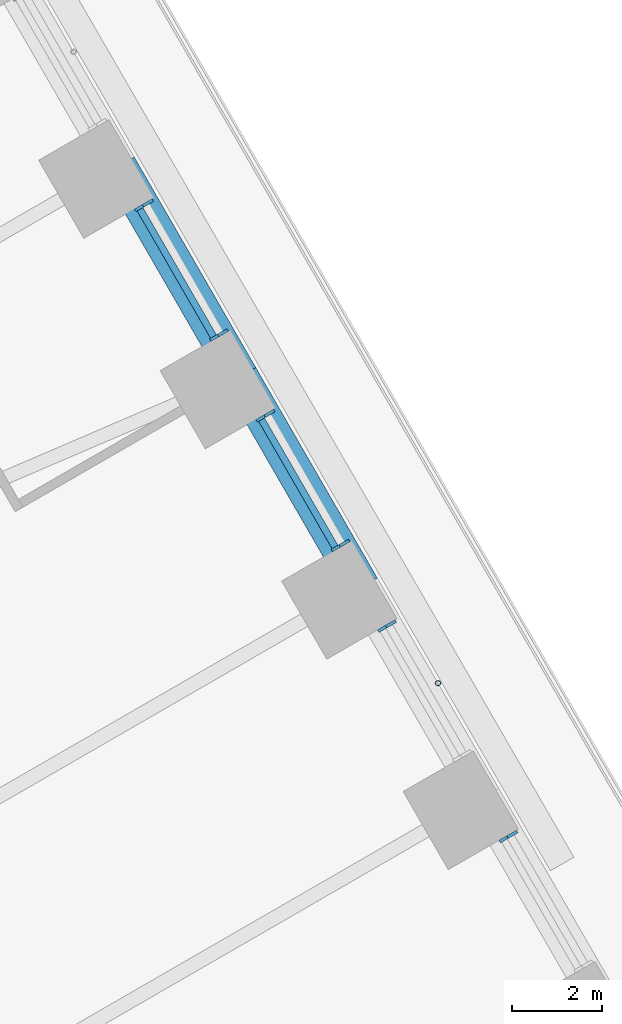
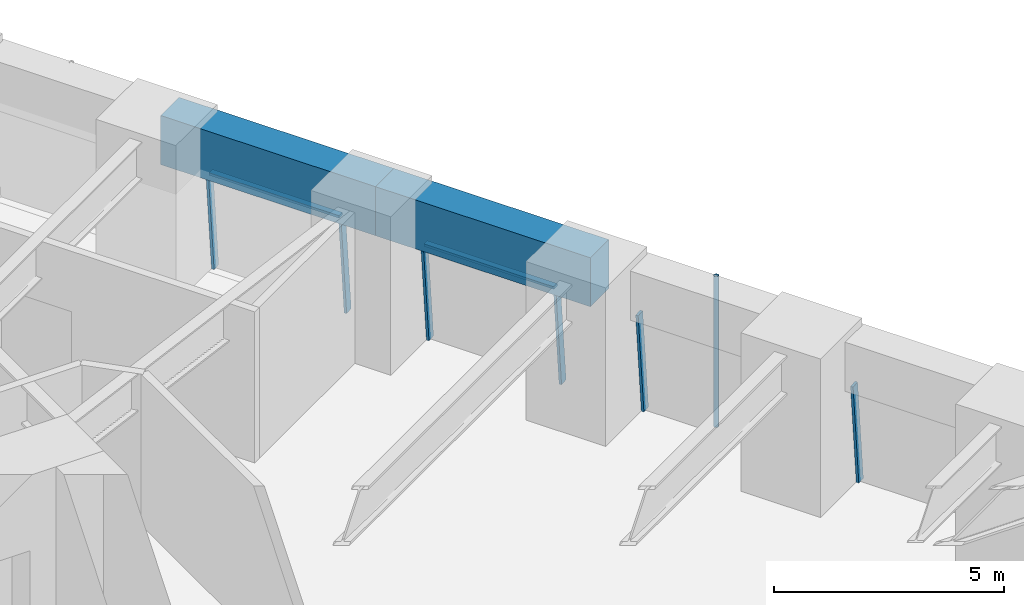
# One storey, part 13 of 23: 9 members, 2 beams, 4 elements without a shape of their own.
"""IFC4 building model written with IfcOpenShell, lengths in metres."""

from ifc_helpers import new_model, si_unit, direction, frame, origin, origin_2d, place, context, subcontext, project, spatial, rectangle, hollow_circle, extrude, material, material_profile, profile_set, type_object, element, aggregate, save


model = new_model("IFC4")

# Units and contexts
model_context = context("Model", 3, precision=1e-05, world=origin(), true_north=direction((0.0, 1.0)))
body_context = subcontext(model_context, "Body", "Model", "MODEL_VIEW")
ifc_project = project(units=[si_unit("LENGTHUNIT", "METRE"), si_unit("AREAUNIT", "SQUARE_METRE"), si_unit("VOLUMEUNIT", "CUBIC_METRE"), si_unit("PLANEANGLEUNIT", "RADIAN"), si_unit("MASSUNIT", "GRAM", prefix="KILO")], contexts=[model_context])

# Site, building, storey
site_placement = place(None, origin())
site = spatial("IfcSite", under=ifc_project, at=site_placement, CompositionType="ELEMENT")
building_placement = place(site_placement, origin())
building = spatial("IfcBuilding", under=site, at=building_placement, Name="Tarfa Lantern Tower", CompositionType="ELEMENT")
storey_placement = place(building_placement, frame((0.0, 0.0, 52.89990234375)))
storey = spatial("IfcBuildingStorey", under=building, at=storey_placement, Name="L11", CompositionType="ELEMENT", Elevation=52.89990234375)

# Curtain wall, member
ifc_material_1 = material(Name="Aluminium framed curtain wall", Category="aluminium")
curtain_wall_type = type_object("IfcCurtainWallType", Name="CW1 CANTED GLAZING LOW ZONE 2700", PredefinedType="USERDEFINED", material=ifc_material_1)
curtain_wall_1_placement = place(storey_placement, origin())
curtain_wall_1 = element("IfcCurtainWall", 1, at=curtain_wall_1_placement, inside=storey, type_object=curtain_wall_type, Name="CW1 NE L11", ObjectType="CURTAIN WALL", PredefinedType="USERDEFINED")
ifc_material_2 = material(Name="Aluminium mullion", Category="aluminium")
ifc_material_profile_1 = material_profile(ifc_material_2, rectangle(XDim=0.06494140625, YDim=0.199951171875, at=origin_2d()), Name="AL MULLION 65x200")
ifc_profile_set_1 = profile_set([ifc_material_profile_1], Name="Aluminium mullion")
member_type_1 = type_object("IfcMemberType", Name="CWM1 MULLION 65x200", PredefinedType="MULLION", material=ifc_profile_set_1)
member_1_placement = place(storey_placement, frame((35.26318359375, 6.722412109375, 0.0), z_axis=(-0.079857261722, -0.046095736191, 0.995739926314), x_axis=(0.499919672301, -0.866071776036, 0.0)))
member_1 = element("IfcMember", 2, at=member_1_placement, type_object=member_type_1, Name="CW1 mullion 2", PredefinedType="MULLION", context=body_context, shape_type="SweptSolid", body=[
    extrude(rectangle(XDim=0.06494140625, YDim=0.199951171875, at=origin_2d()), origin(), (0.0, 0.0, 1.0), 2.711669921875),
])
aggregate(curtain_wall_1, [member_1])

curtain_wall_2_placement = place(storey_placement, origin())
curtain_wall_2 = element("IfcCurtainWall", 3, at=curtain_wall_2_placement, inside=storey, type_object=curtain_wall_type, Name="CW1 NE L11", ObjectType="CURTAIN WALL", PredefinedType="USERDEFINED")
member_2_placement = place(storey_placement, frame((32.56884765625, 11.38916015625, 0.0), z_axis=(-0.079857261722, -0.046095736191, 0.995739926314), x_axis=(0.499919672301, -0.866071776036, 0.0)))
member_2 = element("IfcMember", 4, at=member_2_placement, type_object=member_type_1, Name="CW1 mullion 2", PredefinedType="MULLION", context=body_context, shape_type="SweptSolid", body=[
    extrude(rectangle(XDim=0.06494140625, YDim=0.199951171875, at=origin_2d()), origin(), (0.0, 0.0, 1.0), 2.711669921875),
])
aggregate(curtain_wall_2, [member_2])

# Curtain wall, members
curtain_wall_3_placement = place(storey_placement, origin())
curtain_wall_3 = element("IfcCurtainWall", 5, at=curtain_wall_3_placement, inside=storey, type_object=curtain_wall_type, Name="CW1 NE L11", ObjectType="CURTAIN WALL", PredefinedType="USERDEFINED")
member_3_placement = place(storey_placement, frame((31.536376953125, 13.177490234375, 0.0), z_axis=(-0.079857261722, -0.046095736191, 0.995739926314), x_axis=(0.499919672301, -0.866071776036, 0.0)))
member_3 = element("IfcMember", 6, at=member_3_placement, type_object=member_type_1, Name="CW1 mullion 1", PredefinedType="MULLION", context=body_context, shape_type="SweptSolid", body=[
    extrude(rectangle(XDim=0.06494140625, YDim=0.199951171875, at=origin_2d()), origin(), (0.0, 0.0, 1.0), 2.711669921875),
])
member_4_placement = place(storey_placement, frame((29.87451171875, 16.055908203125, 0.0), z_axis=(-0.079857261722, -0.046095736191, 0.995739926314), x_axis=(0.499919672301, -0.866071776036, 0.0)))
member_4 = element("IfcMember", 7, at=member_4_placement, type_object=member_type_1, Name="CW1 mullion 2", PredefinedType="MULLION", context=body_context, shape_type="SweptSolid", body=[
    extrude(rectangle(XDim=0.06494140625, YDim=0.199951171875, at=origin_2d()), origin(), (0.0, 0.0, 1.0), 2.711669921875),
])

curtain_wall_4_placement = place(storey_placement, origin())
curtain_wall_4 = element("IfcCurtainWall", 8, at=curtain_wall_4_placement, inside=storey, type_object=curtain_wall_type, Name="CW1 NE L11", ObjectType="CURTAIN WALL", PredefinedType="USERDEFINED")
member_5_placement = place(storey_placement, frame((28.842041015625, 17.84423828125, 0.0), z_axis=(-0.079857261722, -0.046095736191, 0.995739926314), x_axis=(0.499919672301, -0.866071776036, 0.0)))
member_5 = element("IfcMember", 9, at=member_5_placement, type_object=member_type_1, Name="CW1 mullion 1", PredefinedType="MULLION", context=body_context, shape_type="SweptSolid", body=[
    extrude(rectangle(XDim=0.06494140625, YDim=0.199951171875, at=origin_2d()), origin(), (0.0, 0.0, 1.0), 2.711669921875),
])
member_6_placement = place(storey_placement, frame((27.18017578125, 20.722412109375, 0.0), z_axis=(-0.079857261722, -0.046095736191, 0.995739926314), x_axis=(0.499919672301, -0.866071776036, 0.0)))
member_6 = element("IfcMember", 10, at=member_6_placement, type_object=member_type_1, Name="CW1 mullion 2", PredefinedType="MULLION", context=body_context, shape_type="SweptSolid", body=[
    extrude(rectangle(XDim=0.06494140625, YDim=0.199951171875, at=origin_2d()), origin(), (0.0, 0.0, 1.0), 2.711669921875),
])

# Member
ifc_material_3 = material(Name="Aluminium transom", Category="aluminium")
ifc_material_profile_2 = material_profile(ifc_material_3, rectangle(XDim=0.14990234375, YDim=0.06494140625, at=origin_2d()), Name="AL TRANSOM 150x65")
ifc_profile_set_2 = profile_set([ifc_material_profile_2], Name="Aluminium transom")
member_type_2 = type_object("IfcMemberType", Name="CWT1 TRANSOM 150x65", PredefinedType="USERDEFINED", material=ifc_profile_set_2)
member_7_placement = place(storey_placement, frame((31.30615234375, 13.082275390625, 2.66748046875), z_axis=(-0.500022939057, 0.866012159509, 0.0), x_axis=(-0.866012159509, -0.500022939057, 0.0)))
member_7 = element("IfcMember", 11, at=member_7_placement, type_object=member_type_2, Name="CW1 transom 1.2", ObjectType="TRANSOM", PredefinedType="USERDEFINED", context=body_context, shape_type="SweptSolid", body=[
    extrude(rectangle(XDim=0.14990234375, YDim=0.06494140625, at=origin_2d()), origin(), (0.0, 0.0, 1.0), 3.258544921875),
])

aggregate(curtain_wall_3, [member_3, member_4, member_7])

member_8_placement = place(storey_placement, frame((28.61181640625, 17.748779296875, 2.66748046875), z_axis=(-0.499966746847, 0.86604460165, 0.0), x_axis=(-0.86604460165, -0.499966746847, 0.0)))
member_8 = element("IfcMember", 12, at=member_8_placement, type_object=member_type_2, Name="CW1 transom 1.2", ObjectType="TRANSOM", PredefinedType="USERDEFINED", context=body_context, shape_type="SweptSolid", body=[
    extrude(rectangle(XDim=0.14990234375, YDim=0.06494140625, at=origin_2d()), origin(), (0.0, 0.0, 1.0), 3.258544921875),
])

aggregate(curtain_wall_4, [member_5, member_6, member_8])

# Beams
ifc_material_4 = material(Name="Concrete C80/95", Category="concrete")
ifc_material_profile_3 = material_profile(ifc_material_4, rectangle(XDim=0.800048828125, YDim=1.300048828125, at=origin_2d()), Name="RC 800x1300")
ifc_profile_set_3 = profile_set([ifc_material_profile_3], Name="Concrete C80/95")
beam_type = type_object("IfcBeamType", Name="EB1 RC 800x1300", PredefinedType="SPANDREL", material=ifc_profile_set_3)
beam_1_placement = place(storey_placement, frame((31.896728515625, 12.193359375, 3.35009765625), z_axis=(-0.499998287579, 0.866026392449, 0.0), x_axis=(-0.866026392449, -0.499998287579, 0.0)))
element("IfcBeam", 13, at=beam_1_placement, inside=storey, type_object=beam_type, Name="Edge beam NE2", PredefinedType="SPANDREL", context=body_context, shape_type="SweptSolid", body=[
    extrude(rectangle(XDim=0.800048828125, YDim=1.300048828125, at=origin_2d()), origin(), (0.0, 0.0, 1.0), 5.388671875),
])
beam_2_placement = place(storey_placement, frame((29.202392578125, 16.860107421875, 3.35009765625), z_axis=(-0.500017906299, 0.866015065331, 0.0), x_axis=(-0.866015065331, -0.500017906299, 0.0)))
element("IfcBeam", 14, at=beam_2_placement, inside=storey, type_object=beam_type, Name="Edge beam NE3", PredefinedType="SPANDREL", context=body_context, shape_type="SweptSolid", body=[
    extrude(rectangle(XDim=0.800048828125, YDim=1.300048828125, at=origin_2d()), origin(), (0.0, 0.0, 1.0), 5.388427734375),
])

# Member
ifc_material_5 = material(Name="Steel S355", Category="steel")
ifc_material_profile_4 = material_profile(ifc_material_5, hollow_circle(Radius=0.05712890625, WallThickness=0.00634765625, at=origin_2d()), Name="CHS114.3x6.3")
ifc_profile_set_4 = profile_set([ifc_material_profile_4], Name="Steel S355")
member_type_3 = type_object("IfcMemberType", Name="TR1 GREEN WALL TRELLIS CHS114.3x6.3", PredefinedType="USERDEFINED", material=ifc_profile_set_4)
member_9_placement = place(storey_placement, frame((33.59033203125, 10.06005859375, 0.0), z_axis=(0.0, 0.0, 1.0), x_axis=(1.0, 0.0, 0.0)))
element("IfcMember", 15, at=member_9_placement, inside=storey, type_object=member_type_3, Name="Trellis post NE 1", ObjectType="TRELLIS", PredefinedType="USERDEFINED", context=body_context, shape_type="SweptSolid", body=[
    extrude(hollow_circle(Radius=0.05712890625, WallThickness=0.00634765625, at=origin_2d()), origin(), (0.0, 0.0, 1.0), 4.0),
])

save(model, "model.ifc")
